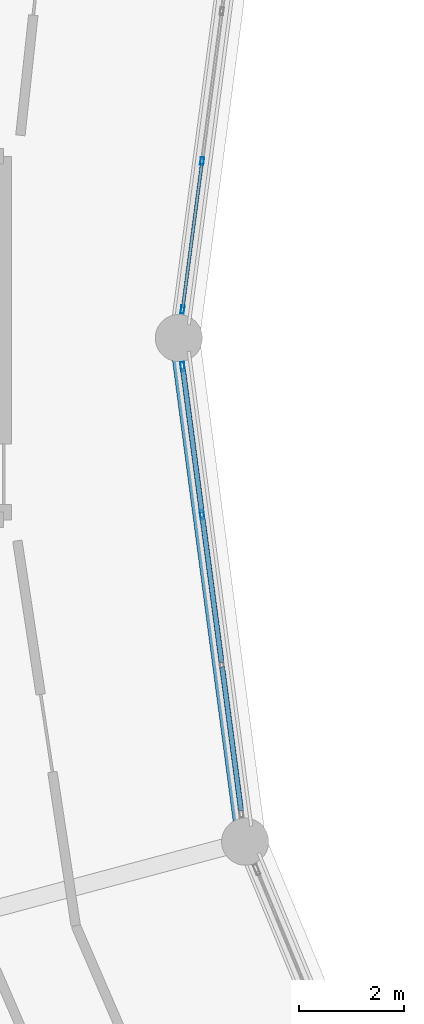
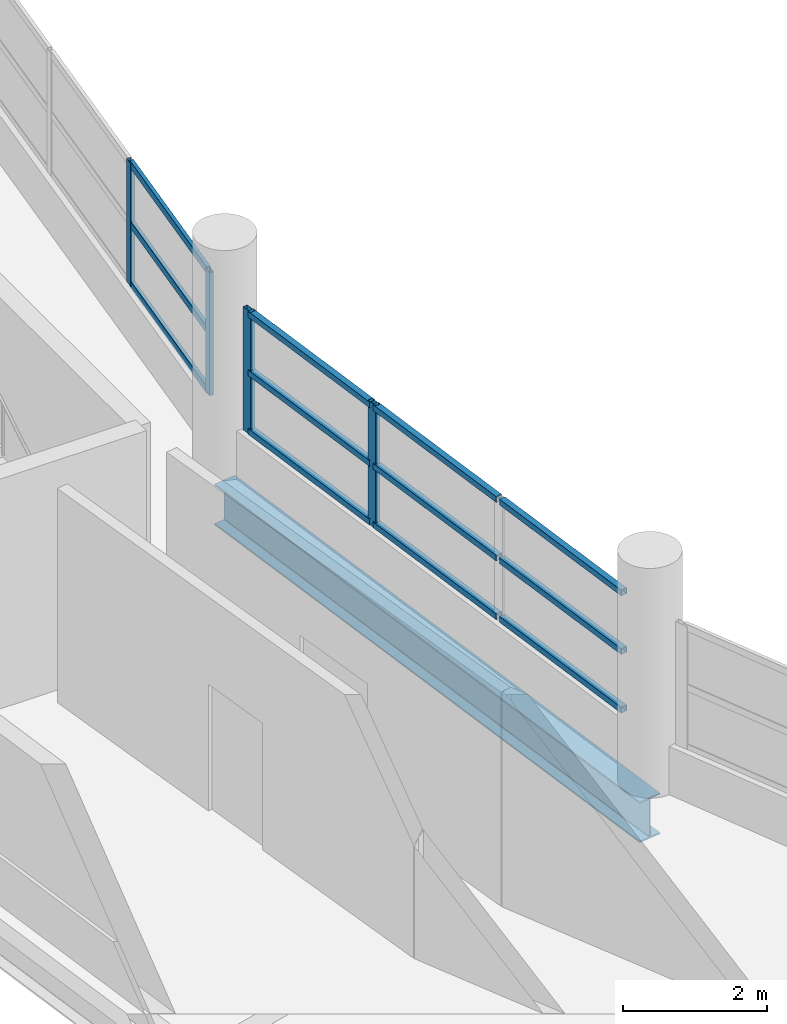
# One storey, part 20 of 88: 16 members, 1 beam, 2 elements without a shape of their own.
"""IFC4 building model written with IfcOpenShell, lengths in metres."""

from ifc_helpers import new_model, si_unit, direction, frame, origin, origin_2d, place, context, subcontext, project, spatial, hollow_rectangle, i_section, extrude, material, layer, layer_set, material_profile, profile_set, type_object, element, aggregate, save


model = new_model("IFC4")

# Units and contexts
model_context = context("Model", 3, precision=1e-05, world=origin(), true_north=direction((0.0, 1.0)))
body_context = subcontext(model_context, "Body", "Model", "MODEL_VIEW")
ifc_project = project(units=[si_unit("LENGTHUNIT", "METRE"), si_unit("AREAUNIT", "SQUARE_METRE"), si_unit("VOLUMEUNIT", "CUBIC_METRE"), si_unit("PLANEANGLEUNIT", "RADIAN"), si_unit("MASSUNIT", "GRAM", prefix="KILO")], contexts=[model_context])

# Site, building, storey
site_placement = place(None, origin())
site = spatial("IfcSite", under=ifc_project, at=site_placement, CompositionType="ELEMENT")
building_placement = place(site_placement, origin())
building = spatial("IfcBuilding", under=site, at=building_placement, Name="Vespera Passage Community Centre", CompositionType="ELEMENT")
storey_placement = place(building_placement, frame((0.0, 0.0, 16.5)))
storey = spatial("IfcBuildingStorey", under=building, at=storey_placement, Name="L04", CompositionType="ELEMENT", Elevation=16.5)

# Beam
ifc_material_1 = material(Name="Steel ASTM A992 Grade 50", Category="steel")
ifc_material_profile_1 = material_profile(ifc_material_1, i_section(OverallWidth=0.3544921875, OverallDepth=0.695556640625, WebThickness=0.015380859375, FlangeThickness=0.024658203125, FilletRadius=0.01513671875, at=origin_2d()), Name="W27X146")
ifc_profile_set_1 = profile_set([ifc_material_profile_1], Name="Steel ASTM A992 Grade 50")
beam_type = type_object("IfcBeamType", Name="BM-SP-W27X146E", PredefinedType="SPANDREL", material=ifc_profile_set_1)
beam_placement = place(storey_placement, frame((40.800048828125, 65.5, -0.647705078125), z_axis=(0.130526697639, -0.991444794834, 0.0), x_axis=(0.991444794834, 0.130526697639, 0.0)))
element("IfcBeam", 1, at=beam_placement, inside=storey, type_object=beam_type, Name="V4 L04 Inner Spandrel 12", PredefinedType="SPANDREL", context=body_context, shape_type="SweptSolid", body=[
    extrude(i_section(OverallWidth=0.3544921875, OverallDepth=0.695556640625, WebThickness=0.015380859375, FlangeThickness=0.024658203125, FilletRadius=0.01513671875, at=origin_2d()), origin(), (0.0, 0.0, 1.0), 9.711181640625),
])

# Curtain wall, members
ifc_material_2 = material(Name="Anodized aluminium 6063-T6", Category="aluminium")
ifc_layer_1 = layer(ifc_material_2, 0.159912109375)
ifc_layer_set_1 = layer_set([ifc_layer_1], Name="Anodized aluminium 6063-T6")
curtain_wall_type_1 = type_object("IfcCurtainWallType", Name="CW-58E", PredefinedType="NOTDEFINED", material=ifc_layer_set_1)
curtain_wall_1_placement = place(storey_placement, origin())
curtain_wall_1 = element("IfcCurtainWall", 2, at=curtain_wall_1_placement, inside=storey, type_object=curtain_wall_type_1, Name="V4 L04 Inner Court Curtain Wall 11", PredefinedType="NOTDEFINED")
ifc_material_3 = material(Name="Anodized aluminium 6063-T6", Category="aluminium")
ifc_material_profile_2 = material_profile(ifc_material_3, hollow_rectangle(XDim=0.06494140625, YDim=0.14990234375, WallThickness=0.00390625, InnerFilletRadius=0.001953125, OuterFilletRadius=0.00390625, at=origin_2d()), Name="ALU150X65X4")
ifc_profile_set_2 = profile_set([ifc_material_profile_2], Name="Anodized aluminium 6063-T6")
member_type_1 = type_object("IfcMemberType", Name="MB-CWM-150E", PredefinedType="MULLION", material=ifc_profile_set_2)
member_1_placement = place(storey_placement, frame((41.2451171875, 68.88037109375, 0.820068359375), z_axis=(0.0, 0.0, 1.0), x_axis=(0.991445387728, -0.1305221941, 0.0)))
member_1 = element("IfcMember", 3, at=member_1_placement, type_object=member_type_1, Name="CW-58E mullion 3", PredefinedType="MULLION", context=body_context, shape_type="SweptSolid", body=[
    extrude(hollow_rectangle(XDim=0.06494140625, YDim=0.14990234375, WallThickness=0.00390625, InnerFilletRadius=0.001953125, OuterFilletRadius=0.00390625, at=origin_2d()), origin(), (0.0, 0.0, 1.0), 2.08935546875),
])
member_2_placement = place(storey_placement, frame((40.871826171875, 66.04541015625, 0.820068359375), z_axis=(0.0, 0.0, 1.0), x_axis=(0.991445387728, -0.1305221941, 0.0)))
member_2 = element("IfcMember", 4, at=member_2_placement, type_object=member_type_1, Name="CW-58E mullion 4", PredefinedType="MULLION", context=body_context, shape_type="SweptSolid", body=[
    extrude(hollow_rectangle(XDim=0.06494140625, YDim=0.14990234375, WallThickness=0.00390625, InnerFilletRadius=0.001953125, OuterFilletRadius=0.00390625, at=origin_2d()), origin(), (0.0, 0.0, 1.0), 2.08935546875),
])

ifc_material_4 = material(Name="Anodized aluminium 6063-T6", Category="aluminium")
ifc_layer_2 = layer(ifc_material_4, 0.159912109375)
ifc_layer_set_2 = layer_set([ifc_layer_2], Name="Anodized aluminium 6063-T6")
curtain_wall_type_2 = type_object("IfcCurtainWallType", Name="CW-64E", PredefinedType="NOTDEFINED", material=ifc_layer_set_2)
curtain_wall_2_placement = place(storey_placement, origin())
curtain_wall_2 = element("IfcCurtainWall", 5, at=curtain_wall_2_placement, inside=storey, type_object=curtain_wall_type_2, Name="V4 L04 Inner Court Curtain Wall 12", PredefinedType="NOTDEFINED")
ifc_material_5 = material(Name="Anodized aluminium 6063-T6", Category="aluminium")
ifc_material_profile_3 = material_profile(ifc_material_5, hollow_rectangle(XDim=0.074951171875, YDim=0.179931640625, WallThickness=0.0048828125, InnerFilletRadius=0.00244140625, OuterFilletRadius=0.0048828125, at=origin_2d()), Name="ALU180X75X5")
ifc_profile_set_3 = profile_set([ifc_material_profile_3], Name="Anodized aluminium 6063-T6")
member_type_2 = type_object("IfcMemberType", Name="MB-CWM-180E", PredefinedType="MULLION", material=ifc_profile_set_3)
member_3_placement = place(storey_placement, frame((40.87255859375, 64.94970703125, 0.820068359375), z_axis=(0.0, 0.0, 1.0), x_axis=(0.991445387728, 0.1305221941, 0.0)))
member_3 = element("IfcMember", 6, at=member_3_placement, type_object=member_type_2, Name="CW-64E mullion 1", PredefinedType="MULLION", context=body_context, shape_type="SweptSolid", body=[
    extrude(hollow_rectangle(XDim=0.074951171875, YDim=0.179931640625, WallThickness=0.0048828125, InnerFilletRadius=0.00244140625, OuterFilletRadius=0.0048828125, at=origin_2d()), origin(), (0.0, 0.0, 1.0), 2.08935546875),
])
member_4_placement = place(storey_placement, frame((41.2451171875, 62.11962890625, 0.820068359375), z_axis=(0.0, 0.0, 1.0), x_axis=(0.991445387728, 0.1305221941, 0.0)))
member_4 = element("IfcMember", 7, at=member_4_placement, type_object=member_type_2, Name="CW-64E mullion 2", PredefinedType="MULLION", context=body_context, shape_type="SweptSolid", body=[
    extrude(hollow_rectangle(XDim=0.074951171875, YDim=0.179931640625, WallThickness=0.0048828125, InnerFilletRadius=0.00244140625, OuterFilletRadius=0.0048828125, at=origin_2d()), origin(), (0.0, 0.0, 1.0), 2.08935546875),
])
ifc_material_6 = material(Name="Anodized aluminium 6063-T6", Category="aluminium")
ifc_material_profile_4 = material_profile(ifc_material_6, hollow_rectangle(XDim=0.10009765625, YDim=0.10009765625, WallThickness=0.00390625, InnerFilletRadius=0.001953125, OuterFilletRadius=0.00390625, at=origin_2d()), Name="ALU100X100X4")
ifc_profile_set_4 = profile_set([ifc_material_profile_4], Name="Anodized aluminium 6063-T6")
member_type_3 = type_object("IfcMemberType", Name="MB-CWT-100E", PredefinedType="USERDEFINED", material=ifc_profile_set_4)
member_5_placement = place(storey_placement, frame((40.87744140625, 64.912353515625, 0.8701171875), z_axis=(0.130529495678, -0.99144442646, 0.0), x_axis=(0.99144442646, 0.130529495678, 0.0)))
member_5 = element("IfcMember", 8, at=member_5_placement, type_object=member_type_3, Name="CW-64E transom 1.1", ObjectType="TRANSOM", PredefinedType="USERDEFINED", context=body_context, shape_type="SweptSolid", body=[
    extrude(hollow_rectangle(XDim=0.10009765625, YDim=0.10009765625, WallThickness=0.00390625, InnerFilletRadius=0.001953125, OuterFilletRadius=0.00390625, at=origin_2d()), origin(), (0.0, 0.0, 1.0), 2.779296875),
])
member_6_placement = place(storey_placement, frame((40.87744140625, 64.912353515625, 1.86474609375), z_axis=(0.130529495678, -0.99144442646, 0.0), x_axis=(0.99144442646, 0.130529495678, 0.0)))
member_6 = element("IfcMember", 9, at=member_6_placement, type_object=member_type_3, Name="CW-64E transom 1.2", ObjectType="TRANSOM", PredefinedType="USERDEFINED", context=body_context, shape_type="SweptSolid", body=[
    extrude(hollow_rectangle(XDim=0.10009765625, YDim=0.10009765625, WallThickness=0.00390625, InnerFilletRadius=0.001953125, OuterFilletRadius=0.00390625, at=origin_2d()), origin(), (0.0, 0.0, 1.0), 2.779296875),
])
member_7_placement = place(storey_placement, frame((40.87744140625, 64.912353515625, 2.859375), z_axis=(0.130529495678, -0.99144442646, 0.0), x_axis=(0.99144442646, 0.130529495678, 0.0)))
member_7 = element("IfcMember", 10, at=member_7_placement, type_object=member_type_3, Name="CW-64E transom 1.3", ObjectType="TRANSOM", PredefinedType="USERDEFINED", context=body_context, shape_type="SweptSolid", body=[
    extrude(hollow_rectangle(XDim=0.10009765625, YDim=0.10009765625, WallThickness=0.00390625, InnerFilletRadius=0.001953125, OuterFilletRadius=0.00390625, at=origin_2d()), origin(), (0.0, 0.0, 1.0), 2.779296875),
])
member_8_placement = place(storey_placement, frame((41.25, 62.082275390625, 0.8701171875), z_axis=(0.130528499327, -0.991444557635, 0.0), x_axis=(0.991444557635, 0.130528499327, 0.0)))
member_8 = element("IfcMember", 11, at=member_8_placement, type_object=member_type_3, Name="CW-64E transom 2.1", ObjectType="TRANSOM", PredefinedType="USERDEFINED", context=body_context, shape_type="SweptSolid", body=[
    extrude(hollow_rectangle(XDim=0.10009765625, YDim=0.10009765625, WallThickness=0.00390625, InnerFilletRadius=0.001953125, OuterFilletRadius=0.00390625, at=origin_2d()), origin(), (0.0, 0.0, 1.0), 2.81689453125),
])
member_9_placement = place(storey_placement, frame((41.25, 62.082275390625, 1.86474609375), z_axis=(0.130528499327, -0.991444557635, 0.0), x_axis=(0.991444557635, 0.130528499327, 0.0)))
member_9 = element("IfcMember", 12, at=member_9_placement, type_object=member_type_3, Name="CW-64E transom 2.2", ObjectType="TRANSOM", PredefinedType="USERDEFINED", context=body_context, shape_type="SweptSolid", body=[
    extrude(hollow_rectangle(XDim=0.10009765625, YDim=0.10009765625, WallThickness=0.00390625, InnerFilletRadius=0.001953125, OuterFilletRadius=0.00390625, at=origin_2d()), origin(), (0.0, 0.0, 1.0), 2.81689453125),
])
member_10_placement = place(storey_placement, frame((41.25, 62.082275390625, 2.859375), z_axis=(0.130528499327, -0.991444557635, 0.0), x_axis=(0.991444557635, 0.130528499327, 0.0)))
member_10 = element("IfcMember", 13, at=member_10_placement, type_object=member_type_3, Name="CW-64E transom 2.3", ObjectType="TRANSOM", PredefinedType="USERDEFINED", context=body_context, shape_type="SweptSolid", body=[
    extrude(hollow_rectangle(XDim=0.10009765625, YDim=0.10009765625, WallThickness=0.00390625, InnerFilletRadius=0.001953125, OuterFilletRadius=0.00390625, at=origin_2d()), origin(), (0.0, 0.0, 1.0), 2.81689453125),
])
member_11_placement = place(storey_placement, frame((41.62744140625, 59.215087890625, 0.8701171875), z_axis=(0.130529495678, -0.99144442646, 0.0), x_axis=(0.99144442646, 0.130529495678, 0.0)))
member_11 = element("IfcMember", 14, at=member_11_placement, type_object=member_type_3, Name="CW-64E transom 3.1", ObjectType="TRANSOM", PredefinedType="USERDEFINED", context=body_context, shape_type="SweptSolid", body=[
    extrude(hollow_rectangle(XDim=0.10009765625, YDim=0.10009765625, WallThickness=0.00390625, InnerFilletRadius=0.001953125, OuterFilletRadius=0.00390625, at=origin_2d()), origin(), (0.0, 0.0, 1.0), 2.779296875),
])
member_12_placement = place(storey_placement, frame((41.62744140625, 59.215087890625, 1.86474609375), z_axis=(0.130529495678, -0.99144442646, 0.0), x_axis=(0.99144442646, 0.130529495678, 0.0)))
member_12 = element("IfcMember", 15, at=member_12_placement, type_object=member_type_3, Name="CW-64E transom 3.2", ObjectType="TRANSOM", PredefinedType="USERDEFINED", context=body_context, shape_type="SweptSolid", body=[
    extrude(hollow_rectangle(XDim=0.10009765625, YDim=0.10009765625, WallThickness=0.00390625, InnerFilletRadius=0.001953125, OuterFilletRadius=0.00390625, at=origin_2d()), origin(), (0.0, 0.0, 1.0), 2.779296875),
])
member_13_placement = place(storey_placement, frame((41.62744140625, 59.215087890625, 2.859375), z_axis=(0.130529495678, -0.99144442646, 0.0), x_axis=(0.99144442646, 0.130529495678, 0.0)))
member_13 = element("IfcMember", 16, at=member_13_placement, type_object=member_type_3, Name="CW-64E transom 3.3", ObjectType="TRANSOM", PredefinedType="USERDEFINED", context=body_context, shape_type="SweptSolid", body=[
    extrude(hollow_rectangle(XDim=0.10009765625, YDim=0.10009765625, WallThickness=0.00390625, InnerFilletRadius=0.001953125, OuterFilletRadius=0.00390625, at=origin_2d()), origin(), (0.0, 0.0, 1.0), 2.779296875),
])
aggregate(curtain_wall_2, [member_3, member_4, member_5, member_6, member_7, member_8, member_9, member_10, member_11, member_12, member_13])

# Member
ifc_material_7 = material(Name="Anodized aluminium 6063-T6", Category="aluminium")
ifc_material_profile_5 = material_profile(ifc_material_7, hollow_rectangle(XDim=0.06005859375, YDim=0.1201171875, WallThickness=0.00390625, InnerFilletRadius=0.001953125, OuterFilletRadius=0.00390625, at=origin_2d()), Name="ALU120X60X4")
ifc_profile_set_5 = profile_set([ifc_material_profile_5], Name="Anodized aluminium 6063-T6")
member_type_4 = type_object("IfcMemberType", Name="MB-CWT-120E", PredefinedType="USERDEFINED", material=ifc_profile_set_5)
member_14_placement = place(storey_placement, frame((41.24072265625, 68.84814453125, 0.85009765625), z_axis=(-0.130526832651, -0.991444777059, 0.0), x_axis=(0.991444777059, -0.130526832651, 0.0)))
member_14 = element("IfcMember", 17, at=member_14_placement, type_object=member_type_4, Name="CW-58E transom 3.1", ObjectType="TRANSOM", PredefinedType="USERDEFINED", context=body_context, shape_type="SweptSolid", body=[
    extrude(hollow_rectangle(XDim=0.06005859375, YDim=0.1201171875, WallThickness=0.00390625, InnerFilletRadius=0.001953125, OuterFilletRadius=0.00390625, at=origin_2d()), origin(), (0.0, 0.0, 1.0), 2.79443359375),
])

member_15_placement = place(storey_placement, frame((41.24072265625, 68.84814453125, 1.86474609375), z_axis=(-0.130526832651, -0.991444777059, 0.0), x_axis=(0.991444777059, -0.130526832651, 0.0)))
member_15 = element("IfcMember", 18, at=member_15_placement, type_object=member_type_4, Name="CW-58E transom 3.2", ObjectType="TRANSOM", PredefinedType="USERDEFINED", context=body_context, shape_type="SweptSolid", body=[
    extrude(hollow_rectangle(XDim=0.06005859375, YDim=0.1201171875, WallThickness=0.00390625, InnerFilletRadius=0.001953125, OuterFilletRadius=0.00390625, at=origin_2d()), origin(), (0.0, 0.0, 1.0), 2.79443359375),
])

member_16_placement = place(storey_placement, frame((41.24072265625, 68.84814453125, 2.87939453125), z_axis=(-0.130526832651, -0.991444777059, 0.0), x_axis=(0.991444777059, -0.130526832651, 0.0)))
member_16 = element("IfcMember", 19, at=member_16_placement, type_object=member_type_4, Name="CW-58E transom 3.3", ObjectType="TRANSOM", PredefinedType="USERDEFINED", context=body_context, shape_type="SweptSolid", body=[
    extrude(hollow_rectangle(XDim=0.06005859375, YDim=0.1201171875, WallThickness=0.00390625, InnerFilletRadius=0.001953125, OuterFilletRadius=0.00390625, at=origin_2d()), origin(), (0.0, 0.0, 1.0), 2.79443359375),
])

aggregate(curtain_wall_1, [member_1, member_2, member_14, member_15, member_16])

save(model, "model.ifc")
